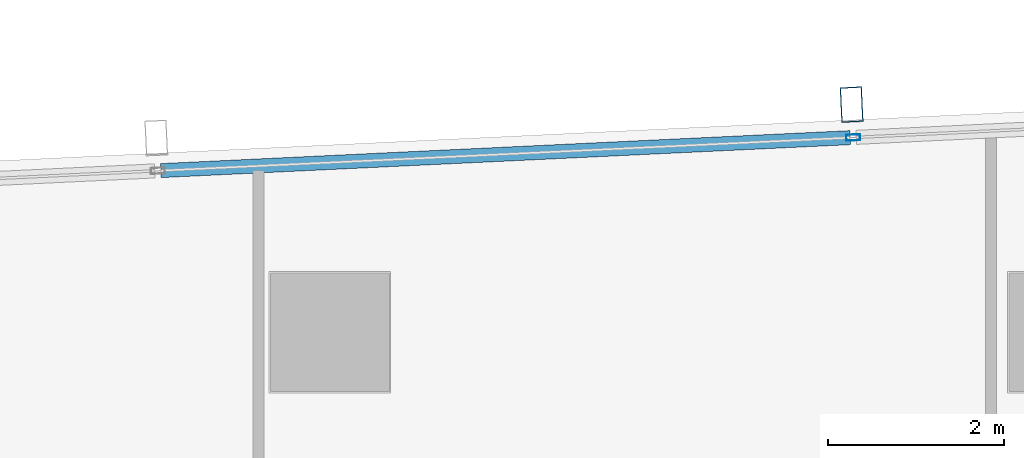
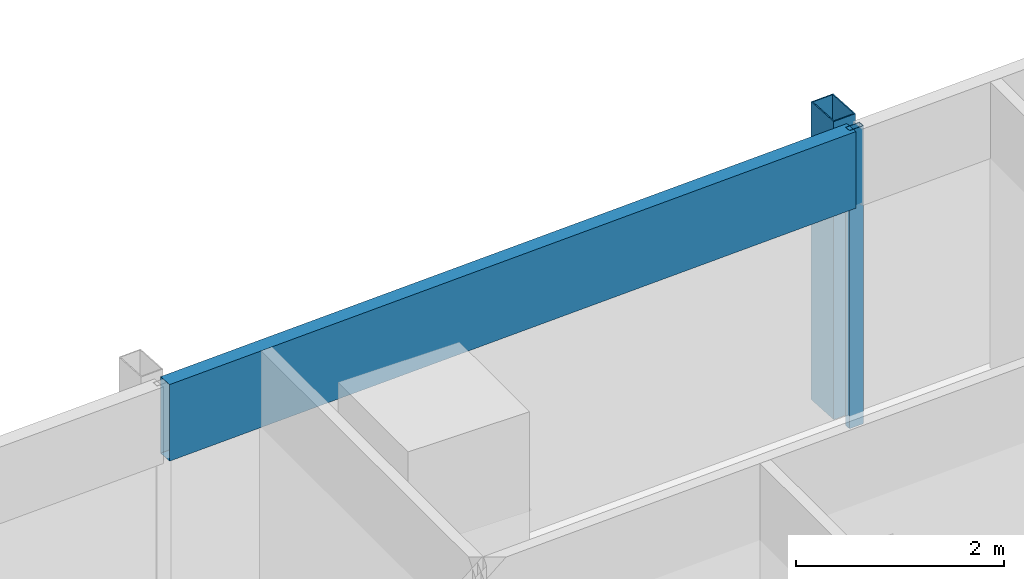
# One storey, part 18 of 38: 3 members, 1 element without a shape of its own.
"""IFC4 building model written with IfcOpenShell, lengths in metres."""

from ifc_helpers import new_model, si_unit, direction, frame, origin, origin_2d, place, context, subcontext, project, spatial, hollow_rectangle, extrude, material, material_profile, profile_set, type_object, element, aggregate, save


model = new_model("IFC4")

# Units and contexts
model_context = context("Model", 3, precision=1e-05, world=origin(), true_north=direction((0.0, 1.0)))
body_context = subcontext(model_context, "Body", "Model", "MODEL_VIEW")
ifc_project = project(units=[si_unit("LENGTHUNIT", "METRE"), si_unit("AREAUNIT", "SQUARE_METRE"), si_unit("VOLUMEUNIT", "CUBIC_METRE"), si_unit("PLANEANGLEUNIT", "RADIAN"), si_unit("MASSUNIT", "GRAM", prefix="KILO")], contexts=[model_context])

# Site, building, storey
site_placement = place(None, origin())
site = spatial("IfcSite", under=ifc_project, at=site_placement, CompositionType="ELEMENT")
building_placement = place(site_placement, origin())
building = spatial("IfcBuilding", under=site, at=building_placement, Name="Rekha Terrace Tower", CompositionType="ELEMENT")
storey_placement = place(building_placement, frame((0.0, 0.0, 198.949951171875)))
storey = spatial("IfcBuildingStorey", under=building, at=storey_placement, Name="L50", CompositionType="ELEMENT", Elevation=198.949951171875)

# Curtain wall, members
ifc_material_1 = material(Name="Aluminium framing", Category="aluminium")
curtain_wall_type = type_object("IfcCurtainWallType", Name="CW3 north unitised glazing", PredefinedType="USERDEFINED", material=ifc_material_1)
curtain_wall_placement = place(storey_placement, origin())
curtain_wall = element("IfcCurtainWall", 1, at=curtain_wall_placement, inside=storey, type_object=curtain_wall_type, Name="CW3 unitised curtain wall", ObjectType="UNITISED CURTAIN WALL", PredefinedType="USERDEFINED")
ifc_material_2 = material(Name="Steel S355 with fluorocarbon finish", Category="steel")
ifc_material_profile_1 = material_profile(ifc_material_2, hollow_rectangle(XDim=0.25, YDim=0.39990234375, WallThickness=0.012451171875, at=origin_2d()), Name="RHS400x250x12.5")
ifc_profile_set_1 = profile_set([ifc_material_profile_1], Name="Steel S355 with fluorocarbon finish")
member_type_1 = type_object("IfcMemberType", Name="BL1 facade blade RHS 400 x 250", PredefinedType="USERDEFINED", material=ifc_profile_set_1)
member_1_placement = place(storey_placement, frame((22.734130859375, 61.389404296875, 0.0), z_axis=(0.0, 0.0, 1.0), x_axis=(-0.998858913274, -0.04775846913, 0.0)))
member_1 = element("IfcMember", 2, at=member_1_placement, type_object=member_type_1, Name="Facade blade", ObjectType="FACADE BLADE", PredefinedType="USERDEFINED", context=body_context, shape_type="SweptSolid", body=[
    extrude(hollow_rectangle(XDim=0.25, YDim=0.39990234375, WallThickness=0.012451171875, at=origin_2d()), origin(), (0.0, 0.0, 1.0), 3.5),
])
ifc_material_3 = material(Name="Aluminium mullion section", Category="aluminium")
ifc_material_profile_2 = material_profile(ifc_material_3, hollow_rectangle(XDim=0.070068359375, YDim=0.159912109375, WallThickness=0.00390625, at=origin_2d()), Name="AL RHS 70x160")
ifc_profile_set_2 = profile_set([ifc_material_profile_2], Name="Aluminium mullion section")
member_type_2 = type_object("IfcMemberType", Name="CW3 mullion RHS 70 x 160", PredefinedType="MULLION", material=ifc_profile_set_2)
member_2_placement = place(storey_placement, frame((22.751953125, 61.014892578125, 0.0), z_axis=(0.0, 0.0, 1.0), x_axis=(0.047758616983, -0.998858906204, 0.0)))
member_2 = element("IfcMember", 3, at=member_2_placement, type_object=member_type_2, Name="CW3 mullion 4", PredefinedType="MULLION", context=body_context, shape_type="SweptSolid", body=[
    extrude(hollow_rectangle(XDim=0.070068359375, YDim=0.159912109375, WallThickness=0.00390625, at=origin_2d()), origin(), (0.0, 0.0, 1.0), 3.5),
])
ifc_material_4 = material(Name="Insulated aluminium spandrel box", Category="aluminium")
ifc_material_profile_3 = material_profile(ifc_material_4, hollow_rectangle(XDim=0.159912109375, YDim=0.89990234375, WallThickness=0.0029296875, at=origin_2d()), Name="AL SPANDREL BOX 160x900")
ifc_profile_set_3 = profile_set([ifc_material_profile_3], Name="Insulated aluminium spandrel box")
member_type_3 = type_object("IfcMemberType", Name="CW3 spandrel transom 160 x 900", PredefinedType="USERDEFINED", material=ifc_profile_set_3)
member_3_placement = place(storey_placement, frame((22.717041015625, 61.01318359375, 3.050048828125), z_axis=(-0.998859252362, -0.047751376635, 0.0), x_axis=(0.047751376635, -0.998859252362, 0.0)))
member_3 = element("IfcMember", 4, at=member_3_placement, type_object=member_type_3, Name="CW3 spandrel transom 4", ObjectType="TRANSOM", PredefinedType="USERDEFINED", context=body_context, shape_type="SweptSolid", body=[
    extrude(hollow_rectangle(XDim=0.159912109375, YDim=0.89990234375, WallThickness=0.0029296875, at=origin_2d()), origin(), (0.0, 0.0, 1.0), 7.84814453125),
])
aggregate(curtain_wall, [member_2, member_3, member_1])

save(model, "model.ifc")
